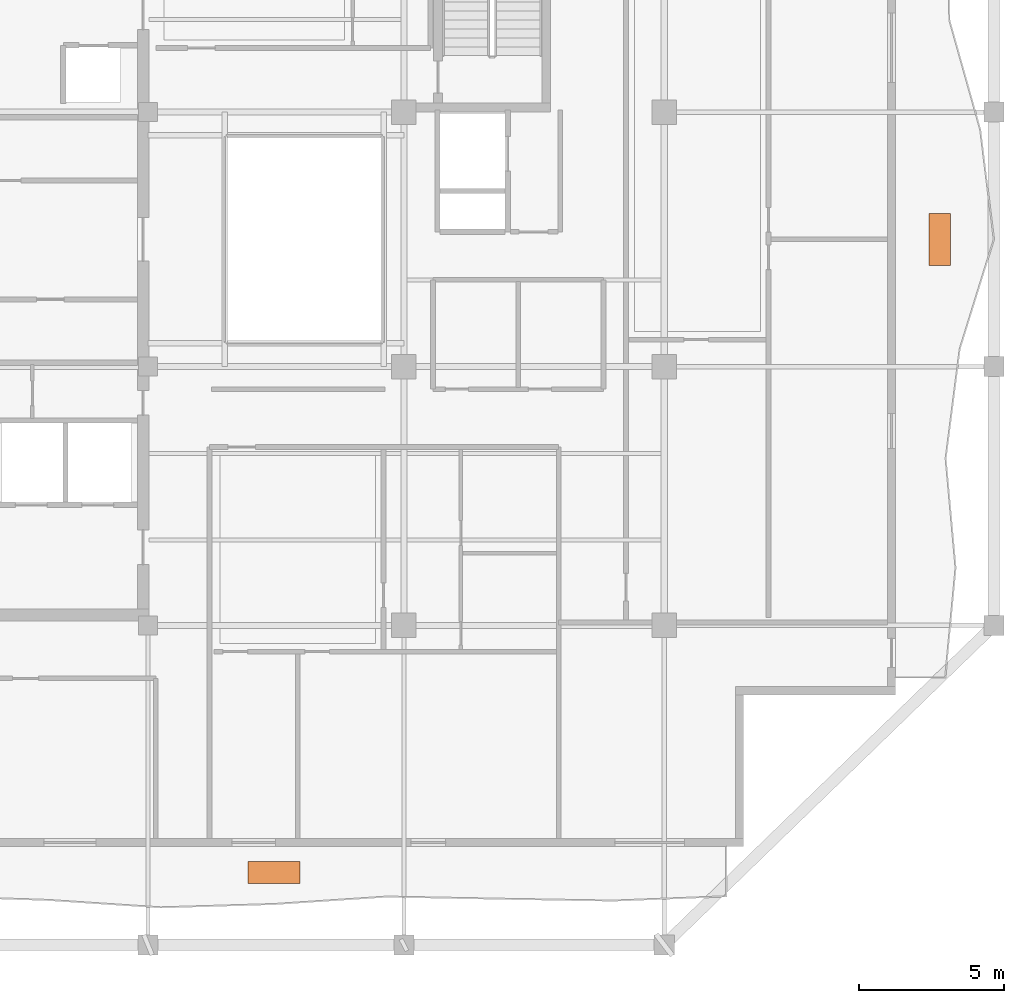
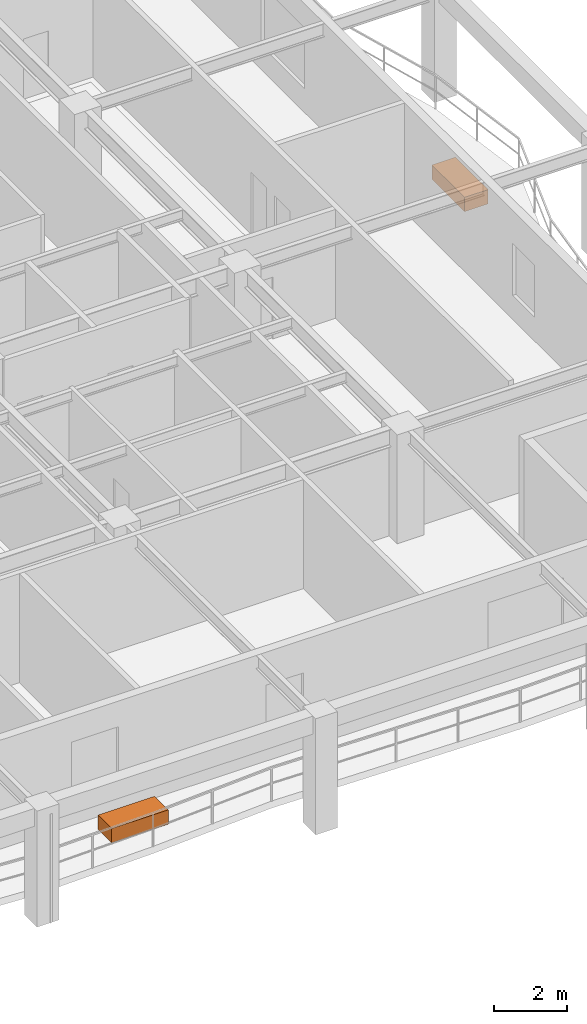
# One storey, part 11 of 11: 2 proxies.
"""IFC4 building model written with IfcOpenShell, lengths in metres."""

from ifc_helpers import new_model, si_unit, direction, frame, origin, origin_2d, place, context, subcontext, project, spatial, rectangle, extrude, material, type_object, element, save


model = new_model("IFC4")

# Units and contexts
model_context = context("Model", 3, precision=1e-05, world=origin(), true_north=direction((0.0, 1.0)))
body_context = subcontext(model_context, "Body", "Model", "MODEL_VIEW")
ifc_project = project(units=[si_unit("LENGTHUNIT", "METRE"), si_unit("AREAUNIT", "SQUARE_METRE"), si_unit("VOLUMEUNIT", "CUBIC_METRE"), si_unit("PLANEANGLEUNIT", "RADIAN"), si_unit("MASSUNIT", "GRAM", prefix="KILO")], contexts=[model_context])

# Site, building, storey
site_placement = place(None, origin())
site = spatial("IfcSite", under=ifc_project, at=site_placement, CompositionType="ELEMENT")
building_placement = place(site_placement, origin())
building = spatial("IfcBuilding", under=site, at=building_placement, Name="Kundavana Baori Tower", CompositionType="ELEMENT")
storey_placement = place(building_placement, frame((0.0, 0.0, 253.10009765625)))
storey = spatial("IfcBuildingStorey", under=building, at=storey_placement, Name="L62", CompositionType="ELEMENT", Elevation=253.10009765625)

# Proxies
ifc_material = material(Name="Red-Buff Dholpur Sandstone Cladding on Concrete C40/50", Category="masonry")
building_element_proxy_type = type_object("IfcBuildingElementProxyType", Name="PRX-PLANTER-1800", PredefinedType="USERDEFINED", material=ifc_material)
for number, where, z_axis, x_axis, name in (
    (1, (29.300048828125, 6.7041015625, 0.0), (0.0, 0.0, 1.0), (1.0, 0.0, 0.0), "L62 Dholpur Stone Structural Tree Planter S"),
    (2, (52.330078125, 28.60009765625, 0.0), (0.0, 0.0, 1.0), (0.0, 1.0, 0.0), "L62 Dholpur Stone Structural Tree Planter E"),
):
    element("IfcBuildingElementProxy", number, at=place(storey_placement, frame(where, z_axis=z_axis, x_axis=x_axis)), inside=storey, type_object=building_element_proxy_type, Name=name, ObjectType="PLANTER", PredefinedType="USERDEFINED", context=body_context, shape_type="SweptSolid", body=[
        extrude(rectangle(XDim=1.800048828125, YDim=0.75, at=origin_2d()), origin(), (0.0, 0.0, 1.0), 0.47998046875),
    ])

save(model, "model.ifc")
